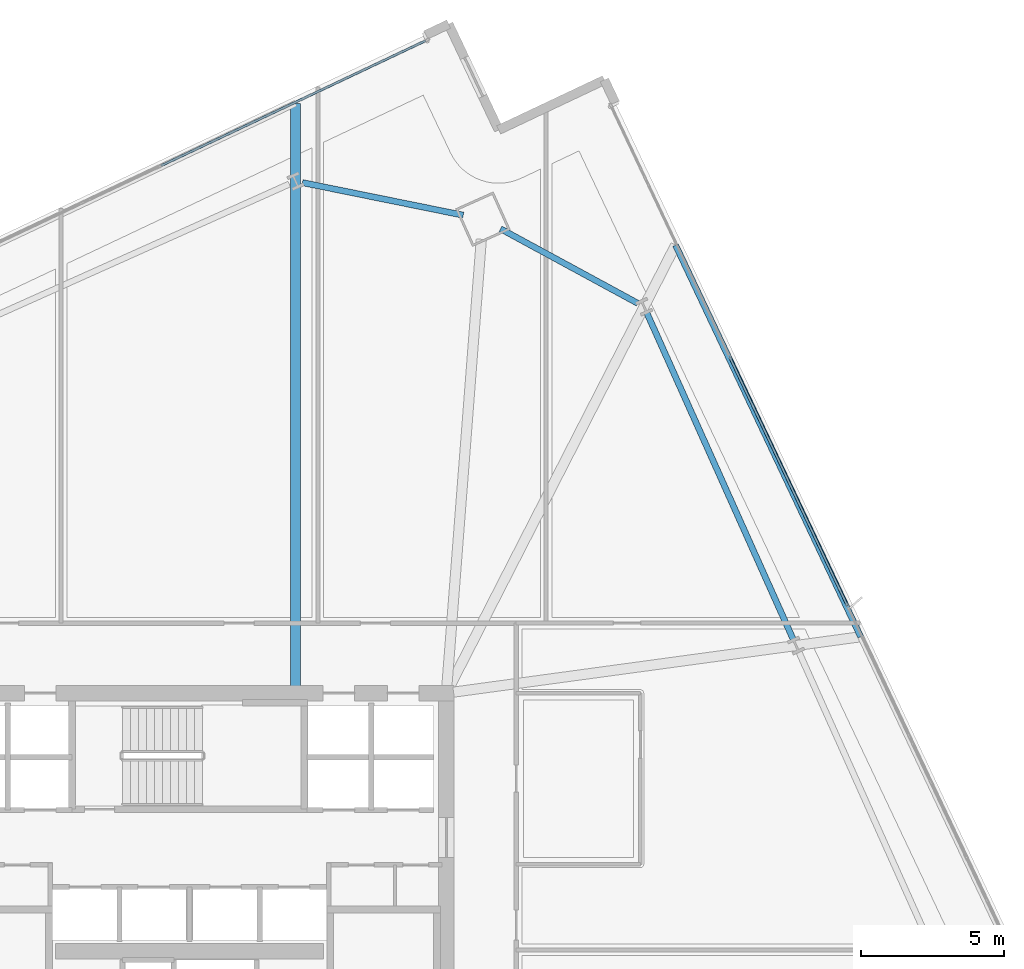
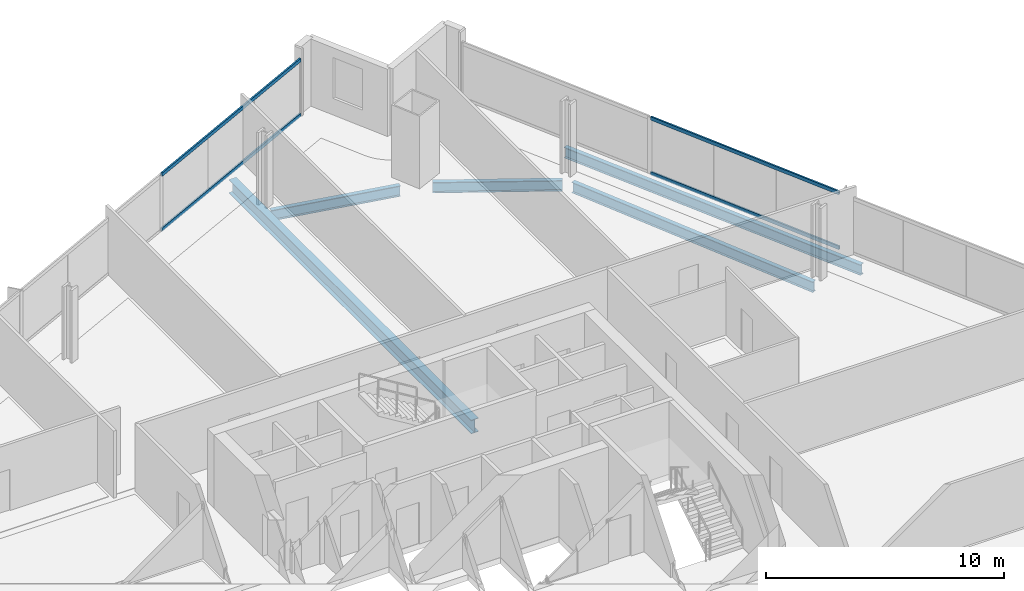
# One storey, part 21 of 34: 5 beams, 4 members, 2 elements without a shape of their own.
"""IFC4 building model written with IfcOpenShell, lengths in metres."""

import ifcopenshell
import ifcopenshell.guid

model = None  # the IFC model being written
_history = None  # IfcOwnerHistory: only IFC2X3 demands one
_inside = {}  # id of a spatial element -> (the spatial element, [elements in it])
_under = {}  # id of a project, library or spatial element -> (it, [spatial elements below it])
_declared = {}  # id of a project -> (the project, [libraries it declares])
_typed = {}  # id of a type object -> (the type object, [elements of that type])
_made_of = {}  # id of a material, layer set ... -> (it, [elements and type objects made of it])


def new_model(schema):
    """Start an empty IFC model of exactly this schema.

    Asked for "IFC4X3", IfcOpenShell would pick the latest addendum, in which some entities
    have other attributes; the version numbers below select the first issue.
    IFC2X3 requires an IfcOwnerHistory on every rooted entity: one is made here for all.
    """
    global model, _history
    if schema == "IFC4X3":
        model = ifcopenshell.file(schema_version=(4, 3, 0, 0))
    else:
        model = ifcopenshell.file(schema=schema)
    _inside.clear()
    _under.clear()
    _declared.clear()
    _typed.clear()
    _made_of.clear()
    _history = None
    if model.schema == "IFC2X3":
        org = make("IfcOrganization", Name="unknown")
        user = make(
            "IfcPersonAndOrganization",
            ThePerson=make("IfcPerson", FamilyName="unknown"),
            TheOrganization=org,
        )
        app = make(
            "IfcApplication",
            ApplicationDeveloper=org,
            Version="unknown",
            ApplicationFullName="unknown",
            ApplicationIdentifier="unknown",
        )
        _history = make(
            "IfcOwnerHistory",
            OwningUser=user,
            OwningApplication=app,
            ChangeAction="ADDED",
            CreationDate=0,
        )
    return model


def make(cls, **values):
    """One entity of the class cls with the attributes given. An attribute that is None is left unset."""
    return model.create_entity(
        cls, **{name: value for name, value in values.items() if value is not None}
    )


def rooted(cls, **values):
    """An entity with a GlobalId (a new one), such as an element, a storey or a relation."""
    return make(cls, GlobalId=ifcopenshell.guid.new(), OwnerHistory=_history, **values)


def si_unit(unit_type, name, prefix=None):
    """IfcSIUnit, for example si_unit("LENGTHUNIT", "METRE", prefix="MILLI")."""
    return make("IfcSIUnit", UnitType=unit_type, Prefix=prefix, Name=name)


def assignment(units):
    """IfcUnitAssignment: the units of a project."""
    return None if units is None else make("IfcUnitAssignment", Units=units)


def point(xyz):
    """IfcCartesianPoint."""
    return None if xyz is None else make("IfcCartesianPoint", Coordinates=xyz)


def direction(xyz):
    """IfcDirection."""
    return None if xyz is None else make("IfcDirection", DirectionRatios=xyz)


def frame(location, z_axis=None, x_axis=None):
    """IfcAxis2Placement3D, a coordinate frame: its origin and axes. An axis left out is left unset."""
    return make(
        "IfcAxis2Placement3D",
        Location=point(location),
        Axis=direction(z_axis),
        RefDirection=direction(x_axis),
    )


def frame_2d(location, x_axis=None):
    """IfcAxis2Placement2D, a coordinate frame in the plane: its origin and x axis."""
    return make(
        "IfcAxis2Placement2D", Location=point(location), RefDirection=direction(x_axis)
    )


def origin():
    """The frame at (0, 0, 0) with its axes left unset."""
    return frame((0.0, 0.0, 0.0))


def origin_2d():
    """The frame at (0, 0) in the plane with its x axis left unset."""
    return frame_2d((0.0, 0.0))


def place(relative_to, where):
    """IfcLocalPlacement: puts the frame where relative to a parent placement (None: the world)."""
    return make(
        "IfcLocalPlacement", PlacementRelTo=relative_to, RelativePlacement=where
    )


def context(
    kind, dimensions, precision=None, world=None, true_north=None, identifier=None
):
    """IfcGeometricRepresentationContext, for example the 3D "Model" context."""
    return make(
        "IfcGeometricRepresentationContext",
        ContextIdentifier=identifier,
        ContextType=kind,
        CoordinateSpaceDimension=dimensions,
        Precision=precision,
        WorldCoordinateSystem=world,
        TrueNorth=true_north,
    )


def subcontext(parent, identifier, kind, view, scale=None):
    """IfcGeometricRepresentationSubContext, for example "Body" below "Model"."""
    return make(
        "IfcGeometricRepresentationSubContext",
        ContextIdentifier=identifier,
        ContextType=kind,
        ParentContext=parent,
        TargetScale=scale,
        TargetView=view,
    )


def project(units=None, contexts=None):
    """IfcProject with its units and contexts."""
    return rooted(
        "IfcProject",
        Name="project",
        RepresentationContexts=contexts,
        UnitsInContext=assignment(units),
    )


def spatial(cls, under=None, at=None, **own):
    """A site, building, storey or space (cls), placed at a placement, below another one or the project."""
    s = rooted(cls, ObjectPlacement=at, **own)
    if under is not None:
        _under.setdefault(under.id(), (under, []))[1].append(s)
    return s


def profile(cls, at=None, kind="AREA", **sizes):
    """A parametric profile (cls). Its sizes go by their IFC names, for example OverallWidth=200.0."""
    return make(cls, ProfileType=kind, Position=at, **sizes)


def hollow_rectangle(**sizes):
    """IfcRectangleHollowProfileDef."""
    return profile("IfcRectangleHollowProfileDef", **sizes)


def i_section(**sizes):
    """IfcIShapeProfileDef."""
    return profile("IfcIShapeProfileDef", **sizes)


def extrude(swept, where, along, depth):
    """IfcExtrudedAreaSolid: the profile swept, set in the frame where, extruded along a direction by depth."""
    return make(
        "IfcExtrudedAreaSolid",
        SweptArea=swept,
        Position=where,
        ExtrudedDirection=direction(along),
        Depth=depth,
    )


def shape(context_of_items, identifier, shape_type, items):
    """IfcShapeRepresentation: the items that make up one representation, for example the "Body"."""
    return make(
        "IfcShapeRepresentation",
        ContextOfItems=context_of_items,
        RepresentationIdentifier=identifier,
        RepresentationType=shape_type,
        Items=items,
    )


def material(Name=None, Category=None):
    """IfcMaterial."""
    return make("IfcMaterial", Name=Name, Category=Category)


def material_profile(
    of_material, cross_section, Name=None, Category=None, Priority=None
):
    """IfcMaterialProfile: a cross section and its material."""
    return make(
        "IfcMaterialProfile",
        Name=Name,
        Material=of_material,
        Profile=cross_section,
        Priority=Priority,
        Category=Category,
    )


def profile_set(profiles, Name=None, composite=None):
    """IfcMaterialProfileSet."""
    return make(
        "IfcMaterialProfileSet",
        Name=Name,
        MaterialProfiles=profiles,
        CompositeProfile=composite,
    )


def made_of(thing, what):
    """Note that an element or type object is made of a material, layer set ...; save() writes the relation."""
    if what is not None:
        _made_of.setdefault(what.id(), (what, []))[1].append(thing)
    return thing


def type_object(cls, material=None, **own):
    """A type object (cls), such as IfcWallType, which elements share."""
    return made_of(rooted(cls, **own), material)


def element(
    cls,
    number,
    at=None,
    inside=None,
    cuts=None,
    type_object=None,
    material=None,
    context=None,
    identifier="Body",
    shape_type=None,
    held_by="IfcProductDefinitionShape",
    body=None,
    shapes=None,
    **own,
):
    """One element of the class cls, such as IfcWall. Its Tag is "e" and its number.

    at: its placement. inside: the storey or other place that contains it. cuts: it is an
    opening in that element (IfcRelVoidsElement). A single representation is given by context,
    identifier, shape_type and body (its items); several are given by shapes. held_by: the class
    of the entity that holds the representations. save() writes the other relations.
    """
    e = rooted(cls, Tag="e%d" % number, ObjectPlacement=at, **own)
    if body is not None:
        shapes = [shape(context, identifier, shape_type, body)]
    if shapes is not None:
        e.Representation = make(held_by, Representations=shapes)
    if inside is not None:
        _inside.setdefault(inside.id(), (inside, []))[1].append(e)
    if cuts is not None:
        rooted(
            "IfcRelVoidsElement", RelatingBuildingElement=cuts, RelatedOpeningElement=e
        )
    if type_object is not None:
        _typed.setdefault(type_object.id(), (type_object, []))[1].append(e)
    return made_of(e, material)


def aggregate(whole, parts):
    """IfcRelAggregates: a whole, such as a stair, and the parts it consists of."""
    return rooted("IfcRelAggregates", RelatingObject=whole, RelatedObjects=parts)


def save(model, path):
    """Write the relations noted so far, then the file.

    IfcRelAggregates (storeys below a building ...), IfcRelContainedInSpatialStructure (elements
    in a storey), IfcRelDefinesByType, IfcRelAssociatesMaterial and IfcRelDeclares: one each for
    every whole, place, type object, material and project.
    """
    for whole, parts in _under.values():
        aggregate(whole, parts)
    for where, things in _inside.values():
        rooted(
            "IfcRelContainedInSpatialStructure",
            RelatedElements=things,
            RelatingStructure=where,
        )
    for kind, things in _typed.values():
        rooted("IfcRelDefinesByType", RelatedObjects=things, RelatingType=kind)
    for what, things in _made_of.values():
        rooted("IfcRelAssociatesMaterial", RelatedObjects=things, RelatingMaterial=what)
    for by, libraries in _declared.values():
        rooted("IfcRelDeclares", RelatingContext=by, RelatedDefinitions=libraries)
    model.write(path)


model = new_model("IFC4")

# Units and contexts
model_context = context("Model", 3, precision=1e-05, world=origin(), true_north=direction((0.0, 1.0)))
body_context = subcontext(model_context, "Body", "Model", "MODEL_VIEW")
ifc_project = project(units=[si_unit("LENGTHUNIT", "METRE"), si_unit("AREAUNIT", "SQUARE_METRE"), si_unit("VOLUMEUNIT", "CUBIC_METRE"), si_unit("PLANEANGLEUNIT", "RADIAN"), si_unit("MASSUNIT", "GRAM", prefix="KILO")], contexts=[model_context])

# Site, building, storey
site_placement = place(None, origin())
site = spatial("IfcSite", under=ifc_project, at=site_placement, CompositionType="ELEMENT")
building_placement = place(site_placement, origin())
building = spatial("IfcBuilding", under=site, at=building_placement, Name="Haldenkirk Collegiate Tower", CompositionType="ELEMENT")
storey_placement = place(building_placement, frame((0.0, 0.0, 112.949951171875)))
storey = spatial("IfcBuildingStorey", under=building, at=storey_placement, Name="L27", CompositionType="ELEMENT", Elevation=112.949951171875)

# Beams
ifc_material_1 = material(Name="Steel ASTM A992 Grade 50", Category="steel")
ifc_material_profile_1 = material_profile(ifc_material_1, i_section(OverallWidth=0.35498046875, OverallDepth=0.696044921875, WebThickness=0.015380859375, FlangeThickness=0.02490234375, at=origin_2d()), Name="W27X146")
ifc_profile_set_1 = profile_set([ifc_material_profile_1], Name="Steel ASTM A992 Grade 50")
beam_type_1 = type_object("IfcBeamType", Name="BM-GIRDER-W27X146", PredefinedType="BEAM", material=ifc_profile_set_1)
beam_1_placement = place(storey_placement, frame((39.71630859375, 54.66796875, -0.64794921875), z_axis=(0.0, -1.0, 0.0), x_axis=(1.0, 0.0, 0.0)))
element("IfcBeam", 1, at=beam_1_placement, inside=storey, type_object=beam_type_1, Name="L27 primary floor girder 11", PredefinedType="BEAM", context=body_context, shape_type="SweptSolid", body=[
    extrude(i_section(OverallWidth=0.35498046875, OverallDepth=0.696044921875, WebThickness=0.015380859375, FlangeThickness=0.02490234375, at=origin_2d()), origin(), (0.0, 0.0, 1.0), 20.4130859375),
])
ifc_material_profile_2 = material_profile(ifc_material_1, i_section(OverallWidth=0.2119140625, OverallDepth=0.5439453125, WebThickness=0.01318359375, FlangeThickness=0.021240234375, at=origin_2d()), Name="W21X83")
ifc_profile_set_2 = profile_set([ifc_material_profile_2], Name="Steel ASTM A992 Grade 50")
beam_type_2 = type_object("IfcBeamType", Name="BM-SPANDREL-W21X83", PredefinedType="SPANDREL", material=ifc_profile_set_2)
beam_2_placement = place(storey_placement, frame((57.15478515625, 35.89111328125, -0.572021484375), z_axis=(-0.409131464477, 0.912475448861, 0.0), x_axis=(-0.912475448861, -0.409131464477, 0.0)))
element("IfcBeam", 2, at=beam_2_placement, inside=storey, type_object=beam_type_2, Name="L27 perimeter spandrel beam 07", PredefinedType="SPANDREL", context=body_context, shape_type="SweptSolid", body=[
    extrude(i_section(OverallWidth=0.2119140625, OverallDepth=0.5439453125, WebThickness=0.01318359375, FlangeThickness=0.021240234375, at=origin_2d()), origin(), (0.0, 0.0, 1.0), 12.524169921875),
])
beam_3_placement = place(storey_placement, frame((51.714599609375, 47.66015625, -0.572021484375), z_axis=(-0.878835810931, 0.477124320723, 0.0), x_axis=(-0.477124320723, -0.878835810931, 0.0)))
element("IfcBeam", 3, at=beam_3_placement, inside=storey, type_object=beam_type_2, Name="L27 perimeter spandrel beam 08", PredefinedType="SPANDREL", context=body_context, shape_type="SweptSolid", body=[
    extrude(i_section(OverallWidth=0.2119140625, OverallDepth=0.5439453125, WebThickness=0.01318359375, FlangeThickness=0.021240234375, at=origin_2d()), origin(), (0.0, 0.0, 1.0), 5.477783203125),
])
beam_4_placement = place(storey_placement, frame((45.590087890625, 50.750244140625, -0.572021484375), z_axis=(-0.980069318183, 0.198655811786, 0.0), x_axis=(-0.198655811786, -0.980069318183, 0.0)))
element("IfcBeam", 4, at=beam_4_placement, inside=storey, type_object=beam_type_2, Name="L27 perimeter spandrel beam 09", PredefinedType="SPANDREL", context=body_context, shape_type="SweptSolid", body=[
    extrude(i_section(OverallWidth=0.2119140625, OverallDepth=0.5439453125, WebThickness=0.01318359375, FlangeThickness=0.021240234375, at=origin_2d()), origin(), (0.0, 0.0, 1.0), 5.747802734375),
])
beam_5_placement = place(storey_placement, frame((59.523193359375, 35.9755859375, -0.572021484375), z_axis=(-0.427357631422, 0.90408265931, 0.0), x_axis=(-0.90408265931, -0.427357631422, 0.0)))
element("IfcBeam", 5, at=beam_5_placement, inside=storey, type_object=beam_type_2, Name="L27 outer facade edge beam 2B", PredefinedType="SPANDREL", context=body_context, shape_type="SweptSolid", body=[
    extrude(i_section(OverallWidth=0.2119140625, OverallDepth=0.5439453125, WebThickness=0.01318359375, FlangeThickness=0.021240234375, at=origin_2d()), origin(), (0.0, 0.0, 1.0), 15.182373046875),
])

# Curtain wall, members
ifc_material_2 = material(Name="Anodised architectural bronze aluminium", Category="aluminium")
curtain_wall_type = type_object("IfcCurtainWallType", Name="CW-SYS1-CONVEX-LOW", PredefinedType="USERDEFINED", material=ifc_material_2)
curtain_wall_1_placement = place(storey_placement, origin())
curtain_wall_1 = element("IfcCurtainWall", 6, at=curtain_wall_1_placement, inside=storey, type_object=curtain_wall_type, Name="L27 Lower tower convex bronze-framed unitised curtain wall", ObjectType="UNITISED CURTAIN WALL", PredefinedType="USERDEFINED")
ifc_material_profile_3 = material_profile(ifc_material_2, hollow_rectangle(XDim=0.080078125, YDim=0.179931640625, WallThickness=0.0048828125, at=origin_2d()), Name="CW-TRN-1A")
ifc_profile_set_3 = profile_set([ifc_material_profile_3], Name="Anodised architectural bronze aluminium")
member_type = type_object("IfcMemberType", Name="CW-TRN-1A", PredefinedType="USERDEFINED", material=ifc_profile_set_3)
member_1_placement = place(storey_placement, frame((54.93310546875, 45.77978515625, 0.0400390625), z_axis=(0.42734799837, -0.904087212767, 0.0), x_axis=(0.904087212767, 0.42734799837, 0.0)))
member_1 = element("IfcMember", 7, at=member_1_placement, type_object=member_type, Name="CW-1A transom 2.1", ObjectType="TRANSOM", PredefinedType="USERDEFINED", context=body_context, shape_type="SweptSolid", body=[
    extrude(hollow_rectangle(XDim=0.080078125, YDim=0.179931640625, WallThickness=0.0048828125, at=origin_2d()), origin(), (0.0, 0.0, 1.0), 9.638916015625),
])
member_2_placement = place(storey_placement, frame((54.93310546875, 45.77978515625, 2.861083984375), z_axis=(0.42734799837, -0.904087212767, 0.0), x_axis=(0.904087212767, 0.42734799837, 0.0)))
member_2 = element("IfcMember", 8, at=member_2_placement, type_object=member_type, Name="CW-1A transom 2.2", ObjectType="TRANSOM", PredefinedType="USERDEFINED", context=body_context, shape_type="SweptSolid", body=[
    extrude(hollow_rectangle(XDim=0.080078125, YDim=0.179931640625, WallThickness=0.0048828125, at=origin_2d()), origin(), (0.0, 0.0, 1.0), 9.638916015625),
])
aggregate(curtain_wall_1, [member_1, member_2])

curtain_wall_2_placement = place(storey_placement, origin())
curtain_wall_2 = element("IfcCurtainWall", 9, at=curtain_wall_2_placement, inside=storey, type_object=curtain_wall_type, Name="L27 Lower tower convex bronze-framed unitised curtain wall", ObjectType="UNITISED CURTAIN WALL", PredefinedType="USERDEFINED")
member_3_placement = place(storey_placement, frame((35.001220703125, 52.4833984375, 0.0400390625), z_axis=(0.904084140572, 0.427354497772, 0.0), x_axis=(-0.427354497772, 0.904084140572, 0.0)))
member_3 = element("IfcMember", 10, at=member_3_placement, type_object=member_type, Name="CW-1A transom 4.1", ObjectType="TRANSOM", PredefinedType="USERDEFINED", context=body_context, shape_type="SweptSolid", body=[
    extrude(hollow_rectangle(XDim=0.080078125, YDim=0.179931640625, WallThickness=0.0048828125, at=origin_2d()), origin(), (0.0, 0.0, 1.0), 10.255126953125),
])
member_4_placement = place(storey_placement, frame((35.001220703125, 52.4833984375, 2.861083984375), z_axis=(0.904084140572, 0.427354497772, 0.0), x_axis=(-0.427354497772, 0.904084140572, 0.0)))
member_4 = element("IfcMember", 11, at=member_4_placement, type_object=member_type, Name="CW-1A transom 4.2", ObjectType="TRANSOM", PredefinedType="USERDEFINED", context=body_context, shape_type="SweptSolid", body=[
    extrude(hollow_rectangle(XDim=0.080078125, YDim=0.179931640625, WallThickness=0.0048828125, at=origin_2d()), origin(), (0.0, 0.0, 1.0), 10.255126953125),
])
aggregate(curtain_wall_2, [member_3, member_4])

save(model, "model.ifc")
